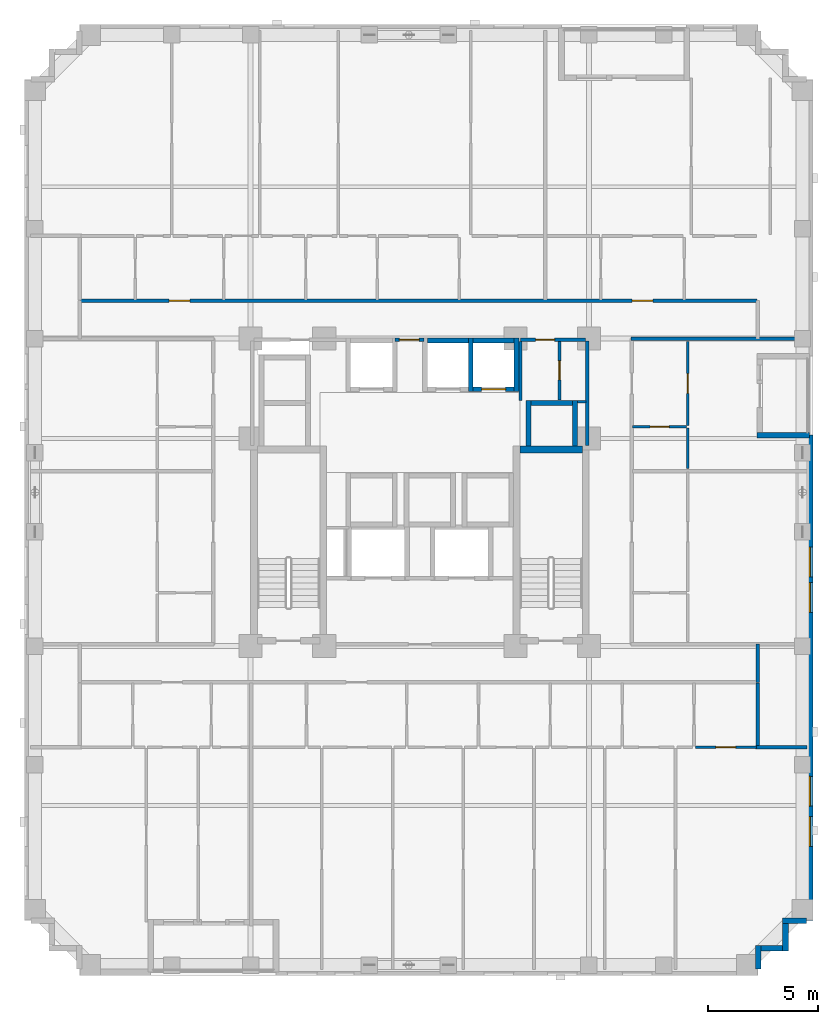
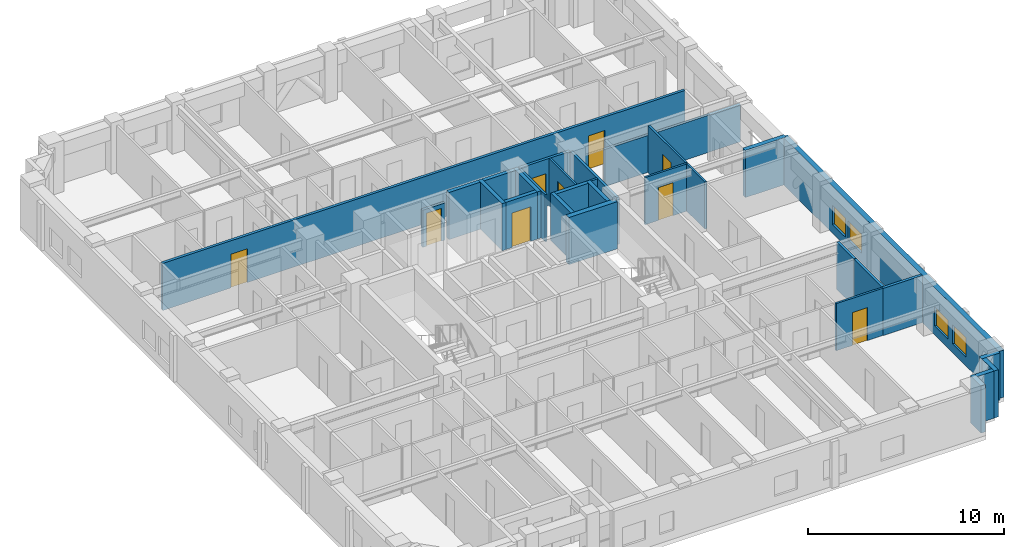
# One storey, part 6 of 12: 30 walls, 9 doors, 4 windows, 13 openings.
"""IFC4 building model written with IfcOpenShell, lengths in metres."""

import ifcopenshell
import ifcopenshell.guid

model = None  # the IFC model being written
_history = None  # IfcOwnerHistory: only IFC2X3 demands one
_inside = {}  # id of a spatial element -> (the spatial element, [elements in it])
_under = {}  # id of a project, library or spatial element -> (it, [spatial elements below it])
_declared = {}  # id of a project -> (the project, [libraries it declares])
_typed = {}  # id of a type object -> (the type object, [elements of that type])
_made_of = {}  # id of a material, layer set ... -> (it, [elements and type objects made of it])


def new_model(schema):
    """Start an empty IFC model of exactly this schema.

    Asked for "IFC4X3", IfcOpenShell would pick the latest addendum, in which some entities
    have other attributes; the version numbers below select the first issue.
    IFC2X3 requires an IfcOwnerHistory on every rooted entity: one is made here for all.
    """
    global model, _history
    if schema == "IFC4X3":
        model = ifcopenshell.file(schema_version=(4, 3, 0, 0))
    else:
        model = ifcopenshell.file(schema=schema)
    _inside.clear()
    _under.clear()
    _declared.clear()
    _typed.clear()
    _made_of.clear()
    _history = None
    if model.schema == "IFC2X3":
        org = make("IfcOrganization", Name="unknown")
        user = make(
            "IfcPersonAndOrganization",
            ThePerson=make("IfcPerson", FamilyName="unknown"),
            TheOrganization=org,
        )
        app = make(
            "IfcApplication",
            ApplicationDeveloper=org,
            Version="unknown",
            ApplicationFullName="unknown",
            ApplicationIdentifier="unknown",
        )
        _history = make(
            "IfcOwnerHistory",
            OwningUser=user,
            OwningApplication=app,
            ChangeAction="ADDED",
            CreationDate=0,
        )
    return model


def make(cls, **values):
    """One entity of the class cls with the attributes given. An attribute that is None is left unset."""
    return model.create_entity(
        cls, **{name: value for name, value in values.items() if value is not None}
    )


def rooted(cls, **values):
    """An entity with a GlobalId (a new one), such as an element, a storey or a relation."""
    return make(cls, GlobalId=ifcopenshell.guid.new(), OwnerHistory=_history, **values)


def si_unit(unit_type, name, prefix=None):
    """IfcSIUnit, for example si_unit("LENGTHUNIT", "METRE", prefix="MILLI")."""
    return make("IfcSIUnit", UnitType=unit_type, Prefix=prefix, Name=name)


def derived_unit(unit_type, elements):
    """IfcDerivedUnit: a product of units, each with its exponent."""
    return make(
        "IfcDerivedUnit",
        Elements=[
            make("IfcDerivedUnitElement", Unit=unit, Exponent=power)
            for unit, power in elements
        ],
        UnitType=unit_type,
    )


def assignment(units):
    """IfcUnitAssignment: the units of a project."""
    return None if units is None else make("IfcUnitAssignment", Units=units)


def point(xyz):
    """IfcCartesianPoint."""
    return None if xyz is None else make("IfcCartesianPoint", Coordinates=xyz)


def direction(xyz):
    """IfcDirection."""
    return None if xyz is None else make("IfcDirection", DirectionRatios=xyz)


def frame(location, z_axis=None, x_axis=None):
    """IfcAxis2Placement3D, a coordinate frame: its origin and axes. An axis left out is left unset."""
    return make(
        "IfcAxis2Placement3D",
        Location=point(location),
        Axis=direction(z_axis),
        RefDirection=direction(x_axis),
    )


def frame_2d(location, x_axis=None):
    """IfcAxis2Placement2D, a coordinate frame in the plane: its origin and x axis."""
    return make(
        "IfcAxis2Placement2D", Location=point(location), RefDirection=direction(x_axis)
    )


def origin():
    """The frame at (0, 0, 0) with its axes left unset."""
    return frame((0.0, 0.0, 0.0))


def place(relative_to, where):
    """IfcLocalPlacement: puts the frame where relative to a parent placement (None: the world)."""
    return make(
        "IfcLocalPlacement", PlacementRelTo=relative_to, RelativePlacement=where
    )


def context(
    kind, dimensions, precision=None, world=None, true_north=None, identifier=None
):
    """IfcGeometricRepresentationContext, for example the 3D "Model" context."""
    return make(
        "IfcGeometricRepresentationContext",
        ContextIdentifier=identifier,
        ContextType=kind,
        CoordinateSpaceDimension=dimensions,
        Precision=precision,
        WorldCoordinateSystem=world,
        TrueNorth=true_north,
    )


def subcontext(parent, identifier, kind, view, scale=None):
    """IfcGeometricRepresentationSubContext, for example "Body" below "Model"."""
    return make(
        "IfcGeometricRepresentationSubContext",
        ContextIdentifier=identifier,
        ContextType=kind,
        ParentContext=parent,
        TargetScale=scale,
        TargetView=view,
    )


def project(units=None, contexts=None):
    """IfcProject with its units and contexts."""
    return rooted(
        "IfcProject",
        Name="project",
        RepresentationContexts=contexts,
        UnitsInContext=assignment(units),
    )


def spatial(cls, under=None, at=None, **own):
    """A site, building, storey or space (cls), placed at a placement, below another one or the project."""
    s = rooted(cls, ObjectPlacement=at, **own)
    if under is not None:
        _under.setdefault(under.id(), (under, []))[1].append(s)
    return s


def profile(cls, at=None, kind="AREA", **sizes):
    """A parametric profile (cls). Its sizes go by their IFC names, for example OverallWidth=200.0."""
    return make(cls, ProfileType=kind, Position=at, **sizes)


def rectangle(**sizes):
    """IfcRectangleProfileDef."""
    return profile("IfcRectangleProfileDef", **sizes)


def extrude(swept, where, along, depth):
    """IfcExtrudedAreaSolid: the profile swept, set in the frame where, extruded along a direction by depth."""
    return make(
        "IfcExtrudedAreaSolid",
        SweptArea=swept,
        Position=where,
        ExtrudedDirection=direction(along),
        Depth=depth,
    )


def shape(context_of_items, identifier, shape_type, items):
    """IfcShapeRepresentation: the items that make up one representation, for example the "Body"."""
    return make(
        "IfcShapeRepresentation",
        ContextOfItems=context_of_items,
        RepresentationIdentifier=identifier,
        RepresentationType=shape_type,
        Items=items,
    )


def material(Name=None, Category=None):
    """IfcMaterial."""
    return make("IfcMaterial", Name=Name, Category=Category)


def layer(
    of_material, thickness, ventilated=None, Name=None, Category=None, Priority=None
):
    """IfcMaterialLayer: one layer of a wall or slab, of a material (None: an air gap)."""
    return make(
        "IfcMaterialLayer",
        Material=of_material,
        LayerThickness=thickness,
        IsVentilated=ventilated,
        Name=Name,
        Category=Category,
        Priority=Priority,
    )


def layer_set(layers, Name=None):
    """IfcMaterialLayerSet."""
    return make("IfcMaterialLayerSet", MaterialLayers=layers, LayerSetName=Name)


def made_of(thing, what):
    """Note that an element or type object is made of a material, layer set ...; save() writes the relation."""
    if what is not None:
        _made_of.setdefault(what.id(), (what, []))[1].append(thing)
    return thing


def type_object(cls, material=None, **own):
    """A type object (cls), such as IfcWallType, which elements share."""
    return made_of(rooted(cls, **own), material)


def element(
    cls,
    number,
    at=None,
    inside=None,
    cuts=None,
    type_object=None,
    material=None,
    context=None,
    identifier="Body",
    shape_type=None,
    held_by="IfcProductDefinitionShape",
    body=None,
    shapes=None,
    **own,
):
    """One element of the class cls, such as IfcWall. Its Tag is "e" and its number.

    at: its placement. inside: the storey or other place that contains it. cuts: it is an
    opening in that element (IfcRelVoidsElement). A single representation is given by context,
    identifier, shape_type and body (its items); several are given by shapes. held_by: the class
    of the entity that holds the representations. save() writes the other relations.
    """
    e = rooted(cls, Tag="e%d" % number, ObjectPlacement=at, **own)
    if body is not None:
        shapes = [shape(context, identifier, shape_type, body)]
    if shapes is not None:
        e.Representation = make(held_by, Representations=shapes)
    if inside is not None:
        _inside.setdefault(inside.id(), (inside, []))[1].append(e)
    if cuts is not None:
        rooted(
            "IfcRelVoidsElement", RelatingBuildingElement=cuts, RelatedOpeningElement=e
        )
    if type_object is not None:
        _typed.setdefault(type_object.id(), (type_object, []))[1].append(e)
    return made_of(e, material)


def fill(opening, filler):
    """IfcRelFillsElement: the door or window that sits in an opening."""
    return rooted(
        "IfcRelFillsElement",
        RelatingOpeningElement=opening,
        RelatedBuildingElement=filler,
    )


def aggregate(whole, parts):
    """IfcRelAggregates: a whole, such as a stair, and the parts it consists of."""
    return rooted("IfcRelAggregates", RelatingObject=whole, RelatedObjects=parts)


def save(model, path):
    """Write the relations noted so far, then the file.

    IfcRelAggregates (storeys below a building ...), IfcRelContainedInSpatialStructure (elements
    in a storey), IfcRelDefinesByType, IfcRelAssociatesMaterial and IfcRelDeclares: one each for
    every whole, place, type object, material and project.
    """
    for whole, parts in _under.values():
        aggregate(whole, parts)
    for where, things in _inside.values():
        rooted(
            "IfcRelContainedInSpatialStructure",
            RelatedElements=things,
            RelatingStructure=where,
        )
    for kind, things in _typed.values():
        rooted("IfcRelDefinesByType", RelatedObjects=things, RelatingType=kind)
    for what, things in _made_of.values():
        rooted("IfcRelAssociatesMaterial", RelatedObjects=things, RelatingMaterial=what)
    for by, libraries in _declared.values():
        rooted("IfcRelDeclares", RelatingContext=by, RelatedDefinitions=libraries)
    model.write(path)


model = new_model("IFC4")

# Units and contexts
model_context = context("Model", 3, precision=1e-05, world=origin(), true_north=direction((0.0, 1.0)))
body_context = subcontext(model_context, "Body", "Model", "MODEL_VIEW")
ifc_project = project(units=[si_unit("LENGTHUNIT", "METRE"), si_unit("AREAUNIT", "SQUARE_METRE"), si_unit("VOLUMEUNIT", "CUBIC_METRE"), si_unit("PLANEANGLEUNIT", "RADIAN"), si_unit("MASSUNIT", "GRAM", prefix="KILO"), derived_unit("THERMALTRANSMITTANCEUNIT", [(si_unit("MASSUNIT", "GRAM", prefix="KILO"), 1), (si_unit("TIMEUNIT", "SECOND"), -3), (si_unit("THERMODYNAMICTEMPERATUREUNIT", "KELVIN"), -1)])], contexts=[model_context])

# Site, building, storey
site_placement = place(None, origin())
site = spatial("IfcSite", under=ifc_project, at=site_placement, CompositionType="ELEMENT")
building_placement = place(site_placement, origin())
building = spatial("IfcBuilding", under=site, at=building_placement, Name="Korrvale Station Residences", CompositionType="ELEMENT")
storey_placement = place(building_placement, frame((0.0, 0.0, 113.5)))
storey = spatial("IfcBuildingStorey", under=building, at=storey_placement, Name="L32", CompositionType="ELEMENT", Elevation=113.5)

# Walls
ifc_material_1 = material(Name="Concrete C60/75", Category="concrete")
ifc_layer_1 = layer(ifc_material_1, 0.300048828125, Name="Concrete C60/75")
ifc_layer_set_1 = layer_set([ifc_layer_1], Name="Concrete C60/75")
wall_type_1 = type_object("IfcWallType", Name="WAL-CORE-300-C60", PredefinedType="SHEAR", material=ifc_layer_set_1)
wall_1_placement = place(storey_placement, frame((30.050048828125, 23.949951171875, 0.0), z_axis=(0.0, 0.0, 1.0), x_axis=(1.0, 0.0, 0.0)))
element("IfcWall", 1, at=wall_1_placement, inside=storey, type_object=wall_type_1, Name="L32 ST-2 Core Shear Wall North", PredefinedType="SHEAR", context=body_context, shape_type="SweptSolid", body=[
    extrude(rectangle(XDim=2.849853515625, YDim=0.300048828125, at=frame_2d((1.4248046875, 0.0))), origin(), (0.0, 0.0, 1.0), 2.93994140625),
])
ifc_material_2 = material(Name="Precast concrete C45/55", Category="concrete")
ifc_layer_2 = layer(ifc_material_2, 0.260009765625, Name="Precast concrete C45/55")
ifc_layer_set_2 = layer_set([ifc_layer_2], Name="Precast concrete C45/55")
wall_type_2 = type_object("IfcWallType", Name="WAL-EXT-LOG260", PredefinedType="SOLIDWALL", material=ifc_layer_set_2)
wall_2_placement = place(storey_placement, frame((40.840087890625, 24.60009765625, 0.0), z_axis=(0.0, 0.0, 1.0), x_axis=(1.0, 0.0, 0.0)))
element("IfcWall", 2, at=wall_2_placement, inside=storey, type_object=wall_type_2, Name="L32 Recessed Loggia Wall BAL-L32-E1-R", PredefinedType="SOLIDWALL", context=body_context, shape_type="SweptSolid", body=[
    extrude(rectangle(XDim=2.39990234375, YDim=0.260009765625, at=frame_2d((1.199951171875, 0.0))), origin(), (0.0, 0.0, 1.0), 2.93994140625),
])
wall_3_placement = place(storey_placement, frame((43.097900390625, 2.5, 0.0), z_axis=(0.0, 0.0, 1.0), x_axis=(-1.0, 0.0, 0.0)))
element("IfcWall", 3, at=wall_3_placement, inside=storey, type_object=wall_type_2, Name="L32 Serrated Corner Precast Step SE-1", PredefinedType="SOLIDWALL", context=body_context, shape_type="SweptSolid", body=[
    extrude(rectangle(XDim=1.077880859375, YDim=0.260009765625, at=frame_2d((0.5390625, 0.0))), origin(), (0.0, 0.0, 1.0), 2.93994140625),
])
wall_4_placement = place(storey_placement, frame((42.14990234375, 2.367919921875, 0.0), z_axis=(0.0, 0.0, 1.0), x_axis=(0.0, -1.0, 0.0)))
element("IfcWall", 4, at=wall_4_placement, inside=storey, type_object=wall_type_2, Name="L32 Serrated Corner Precast Step SE-2", PredefinedType="SOLIDWALL", context=body_context, shape_type="SweptSolid", body=[
    extrude(rectangle(XDim=1.247802734375, YDim=0.260009765625, at=frame_2d((0.6240234375, 0.0))), origin(), (0.0, 0.0, 1.0), 2.93994140625),
])
wall_5_placement = place(storey_placement, frame((42.01806640625, 1.25, 0.0), z_axis=(0.0, 0.0, 1.0), x_axis=(-1.0, 0.0, 0.0)))
element("IfcWall", 5, at=wall_5_placement, inside=storey, type_object=wall_type_2, Name="L32 Serrated Corner Precast Step SE-3", PredefinedType="SOLIDWALL", context=body_context, shape_type="SweptSolid", body=[
    extrude(rectangle(XDim=0.986083984375, YDim=0.260009765625, at=frame_2d((0.4931640625, 0.0))), origin(), (0.0, 0.0, 1.0), 2.93994140625),
])
wall_6_placement = place(storey_placement, frame((40.89990234375, 1.3798828125, 0.0), z_axis=(0.0, 0.0, 1.0), x_axis=(0.0, -1.0, 0.0)))
element("IfcWall", 6, at=wall_6_placement, inside=storey, type_object=wall_type_2, Name="L32 Serrated Corner Precast Step SE-4", PredefinedType="SOLIDWALL", context=body_context, shape_type="SweptSolid", body=[
    extrude(rectangle(XDim=1.077880859375, YDim=0.260009765625, at=frame_2d((0.5390625, 0.0))), origin(), (0.0, 0.0, 1.0), 2.93994140625),
])

# Wall, openings, windows
ifc_layer_3 = layer(ifc_material_2, 0.300048828125, Name="Precast concrete C45/55")
ifc_layer_set_3 = layer_set([ifc_layer_3], Name="Precast concrete C45/55")
wall_type_3 = type_object("IfcWallType", Name="WAL-EXT-PC300", PredefinedType="SOLIDWALL", material=ifc_layer_set_3)
wall_7_placement = place(storey_placement, frame((43.25, 24.60009765625, 0.0), z_axis=(0.0, 0.0, 1.0), x_axis=(0.0, -1.0, 0.0)))
wall_7 = element("IfcWall", 7, at=wall_7_placement, inside=storey, type_object=wall_type_3, Name="L32 East Exterior Precast Wall 2", PredefinedType="SOLIDWALL", context=body_context, shape_type="SweptSolid", body=[
    extrude(rectangle(XDim=22.10009765625, YDim=0.300048828125, at=frame_2d((11.050048828125, 0.0))), origin(), (0.0, 0.0, 1.0), 2.93994140625),
])
opening_1_placement = place(wall_7_placement, frame((17.365966796875, 0.0, 0.550048828125)))
opening_1 = element("IfcOpeningElement", 8, at=opening_1_placement, cuts=wall_7, Name="Opening W-10", PredefinedType="OPENING", context=body_context, shape_type="SweptSolid", body=[
    extrude(rectangle(XDim=1.35009765625, YDim=1.199951171875, at=frame_2d((0.675048828125, 0.60009765625))), frame((0.0, 0.16015625, 0.0), z_axis=(0.0, -1.0, 0.0), x_axis=(1.0, 0.0, 0.0)), (0.0, 0.0, 1.0), 0.320068359375),
])
opening_2_placement = place(wall_7_placement, frame((15.534912109375, 0.0, 0.550048828125)))
opening_2 = element("IfcOpeningElement", 9, at=opening_2_placement, cuts=wall_7, Name="Opening W-10", PredefinedType="OPENING", context=body_context, shape_type="SweptSolid", body=[
    extrude(rectangle(XDim=1.35009765625, YDim=1.199951171875, at=frame_2d((0.675048828125, 0.60009765625))), frame((0.0, 0.16015625, 0.0), z_axis=(0.0, -1.0, 0.0), x_axis=(1.0, 0.0, 0.0)), (0.0, 0.0, 1.0), 0.320068359375),
])
opening_3_placement = place(wall_7_placement, frame((5.10009765625, 0.0, 0.550048828125)))
opening_3 = element("IfcOpeningElement", 10, at=opening_3_placement, cuts=wall_7, Name="Opening W-10", PredefinedType="OPENING", context=body_context, shape_type="SweptSolid", body=[
    extrude(rectangle(XDim=1.35009765625, YDim=1.199951171875, at=frame_2d((0.675048828125, 0.60009765625))), frame((0.0, 0.16015625, 0.0), z_axis=(0.0, -1.0, 0.0), x_axis=(1.0, 0.0, 0.0)), (0.0, 0.0, 1.0), 0.320068359375),
])
opening_4_placement = place(wall_7_placement, frame((6.7099609375, 0.0, 0.550048828125)))
opening_4 = element("IfcOpeningElement", 11, at=opening_4_placement, cuts=wall_7, Name="Opening W-10", PredefinedType="OPENING", context=body_context, shape_type="SweptSolid", body=[
    extrude(rectangle(XDim=1.35009765625, YDim=1.199951171875, at=frame_2d((0.675048828125, 0.60009765625))), frame((0.0, 0.16015625, 0.0), z_axis=(0.0, -1.0, 0.0), x_axis=(1.0, 0.0, 0.0)), (0.0, 0.0, 1.0), 0.320068359375),
])
ifc_material_3 = material(Name="Thermally broken aluminium frame with triple low-e glazing", Category="aluminium")
window_type = type_object("IfcWindowType", Name="WIN-W10", PartitioningType="SINGLE_PANEL", PredefinedType="WINDOW", material=ifc_material_3)
window_1_placement = place(opening_1_placement, origin())
window_1 = element("IfcWindow", 12, at=window_1_placement, inside=storey, type_object=window_type, Name="L32 Punched Window 10", OverallHeight=1.199951171875, OverallWidth=1.35009765625, PartitioningType="SINGLE_PANEL", PredefinedType="WINDOW", context=body_context, shape_type="SweptSolid", body=[
    extrude(rectangle(XDim=1.35009765625, YDim=1.199951171875, at=frame_2d((0.675048828125, 0.60009765625))), frame((0.0, 0.030029296875, 0.0), z_axis=(0.0, -1.0, 0.0), x_axis=(1.0, 0.0, 0.0)), (0.0, 0.0, 1.0), 0.06005859375),
])
fill(opening_1, window_1)
window_2_placement = place(opening_2_placement, origin())
window_2 = element("IfcWindow", 13, at=window_2_placement, inside=storey, type_object=window_type, Name="L32 Punched Window 11", OverallHeight=1.199951171875, OverallWidth=1.35009765625, PartitioningType="SINGLE_PANEL", PredefinedType="WINDOW", context=body_context, shape_type="SweptSolid", body=[
    extrude(rectangle(XDim=1.35009765625, YDim=1.199951171875, at=frame_2d((0.675048828125, 0.60009765625))), frame((0.0, 0.030029296875, 0.0), z_axis=(0.0, -1.0, 0.0), x_axis=(1.0, 0.0, 0.0)), (0.0, 0.0, 1.0), 0.06005859375),
])
fill(opening_2, window_2)
window_3_placement = place(opening_3_placement, origin())
window_3 = element("IfcWindow", 14, at=window_3_placement, inside=storey, type_object=window_type, Name="L32 Punched Window 23", OverallHeight=1.199951171875, OverallWidth=1.35009765625, PartitioningType="SINGLE_PANEL", PredefinedType="WINDOW", context=body_context, shape_type="SweptSolid", body=[
    extrude(rectangle(XDim=1.35009765625, YDim=1.199951171875, at=frame_2d((0.675048828125, 0.60009765625))), frame((0.0, 0.030029296875, 0.0), z_axis=(0.0, -1.0, 0.0), x_axis=(1.0, 0.0, 0.0)), (0.0, 0.0, 1.0), 0.06005859375),
])
fill(opening_3, window_3)
window_4_placement = place(opening_4_placement, origin())
window_4 = element("IfcWindow", 15, at=window_4_placement, inside=storey, type_object=window_type, Name="L32 Punched Window 24", OverallHeight=1.199951171875, OverallWidth=1.35009765625, PartitioningType="SINGLE_PANEL", PredefinedType="WINDOW", context=body_context, shape_type="SweptSolid", body=[
    extrude(rectangle(XDim=1.35009765625, YDim=1.199951171875, at=frame_2d((0.675048828125, 0.60009765625))), frame((0.0, 0.030029296875, 0.0), z_axis=(0.0, -1.0, 0.0), x_axis=(1.0, 0.0, 0.0)), (0.0, 0.0, 1.0), 0.06005859375),
])
fill(opening_4, window_4)

# Walls
ifc_material_4 = material(Name="Acoustic steel-stud gypsum board partition", Category="steel")
ifc_layer_4 = layer(ifc_material_4, 0.1201171875, Name="Acoustic steel-stud gypsum board partition")
ifc_layer_set_4 = layer_set([ifc_layer_4], Name="Acoustic steel-stud gypsum board partition")
wall_type_4 = type_object("IfcWallType", Name="WAL-PART-125", PredefinedType="PARTITIONING", material=ifc_layer_set_4)
wall_8_placement = place(storey_placement, frame((30.080078125, 26.179931640625, 0.0), z_axis=(0.0, 0.0, 1.0), x_axis=(0.0, 1.0, 0.0)))
element("IfcWall", 16, at=wall_8_placement, inside=storey, type_object=wall_type_4, Name="L32 Core Partition CW-CS-W", PredefinedType="PARTITIONING", context=body_context, shape_type="SweptSolid", body=[
    extrude(rectangle(XDim=2.68017578125, YDim=0.1201171875, at=frame_2d((1.340087890625, 0.0))), origin(), (0.0, 0.0, 1.0), 2.93994140625),
])
wall_9_placement = place(storey_placement, frame((32.679931640625, 26.1201171875, 0.0), z_axis=(0.0, 0.0, 1.0), x_axis=(1.0, 0.0, 0.0)))
element("IfcWall", 17, at=wall_9_placement, inside=storey, type_object=wall_type_4, Name="L32 Core Partition CW-CS-S", PredefinedType="PARTITIONING", context=body_context, shape_type="SweptSolid", body=[
    extrude(rectangle(XDim=0.380126953125, YDim=0.1201171875, at=frame_2d((0.18994140625, 0.0))), origin(), (0.0, 0.0, 1.0), 2.93994140625),
])

# Wall, opening, door
wall_10_placement = place(storey_placement, frame((31.860107421875, 26.199951171875, 0.0), z_axis=(0.0, 0.0, 1.0), x_axis=(0.0, 1.0, 0.0)))
wall_10 = element("IfcWall", 18, at=wall_10_placement, inside=storey, type_object=wall_type_4, Name="L32 Core Partition CW-CS-MID", PredefinedType="PARTITIONING", context=body_context, shape_type="SweptSolid", body=[
    extrude(rectangle(XDim=2.66015625, YDim=0.1201171875, at=frame_2d((1.330078125, 0.0))), origin(), (0.0, 0.0, 1.0), 2.93994140625),
])
opening_5_placement = place(wall_10_placement, frame((0.919921875, 0.0, 0.0)))
opening_5 = element("IfcOpeningElement", 19, at=opening_5_placement, cuts=wall_10, Name="Opening DB-860", PredefinedType="OPENING", context=body_context, shape_type="SweptSolid", body=[
    extrude(rectangle(XDim=0.860107421875, YDim=2.050048828125, at=frame_2d((0.43017578125, 1.02490234375))), frame((0.0, 0.070068359375, 0.0), z_axis=(0.0, -1.0, 0.0), x_axis=(1.0, 0.0, 0.0)), (0.0, 0.0, 1.0), 0.14013671875),
])
ifc_material_5 = material(Name="Moisture-resistant solid-core bathroom door", Category="timber")
door_type_1 = type_object("IfcDoorType", Name="DR-BATH-860", OperationType="NOTDEFINED", PredefinedType="DOOR", material=ifc_material_5)
door_1_placement = place(opening_5_placement, origin())
door_1 = element("IfcDoor", 20, at=door_1_placement, inside=storey, type_object=door_type_1, Name="L32 Metering Inner Door", OperationType="SINGLE_SWING_LEFT", OverallHeight=2.050048828125, OverallWidth=0.860107421875, PredefinedType="DOOR", context=body_context, shape_type="SweptSolid", body=[
    extrude(rectangle(XDim=0.860107421875, YDim=2.050048828125, at=frame_2d((0.43017578125, 1.02490234375))), frame((0.0, 0.02490234375, 0.0), z_axis=(0.0, -1.0, 0.0), x_axis=(1.0, 0.0, 0.0)), (0.0, 0.0, 1.0), 0.050048828125),
])
fill(opening_5, door_1)

wall_11_placement = place(storey_placement, frame((38.0400390625, 10.39990234375, 0.0), z_axis=(0.0, 0.0, 1.0), x_axis=(1.0, 0.0, 0.0)))
wall_11 = element("IfcWall", 21, at=wall_11_placement, inside=storey, type_object=wall_type_4, Name="L32 Suite Partition U02-H613", PredefinedType="PARTITIONING", context=body_context, shape_type="SweptSolid", body=[
    extrude(rectangle(XDim=2.780029296875, YDim=0.1201171875, at=frame_2d((1.39013671875, 0.0))), origin(), (0.0, 0.0, 1.0), 2.93994140625),
])
opening_6_placement = place(wall_11_placement, frame((0.93994140625, 0.0, 0.0)))
opening_6 = element("IfcOpeningElement", 22, at=opening_6_placement, cuts=wall_11, Name="Opening DI-900", PredefinedType="OPENING", context=body_context, shape_type="SweptSolid", body=[
    extrude(rectangle(XDim=0.89990234375, YDim=2.050048828125, at=frame_2d((0.449951171875, 1.02490234375))), frame((0.0, 0.070068359375, 0.0), z_axis=(0.0, -1.0, 0.0), x_axis=(1.0, 0.0, 0.0)), (0.0, 0.0, 1.0), 0.14013671875),
])
ifc_material_6 = material(Name="Painted solid-core timber interior room door", Category="wood")
door_type_2 = type_object("IfcDoorType", Name="DR-INT-900", OperationType="NOTDEFINED", PredefinedType="DOOR", material=ifc_material_6)
door_2_placement = place(opening_6_placement, origin())
door_2 = element("IfcDoor", 23, at=door_2_placement, inside=storey, type_object=door_type_2, Name="L32 Studio Apartment L32-U02 Utility and Laundry Room Door", OperationType="SINGLE_SWING_RIGHT", OverallHeight=2.050048828125, OverallWidth=0.89990234375, PredefinedType="DOOR", context=body_context, shape_type="SweptSolid", body=[
    extrude(rectangle(XDim=0.89990234375, YDim=2.050048828125, at=frame_2d((0.449951171875, 1.02490234375))), frame((0.0, 0.02490234375, 0.0), z_axis=(0.0, -1.0, 0.0), x_axis=(1.0, 0.0, 0.0)), (0.0, 0.0, 1.0), 0.050048828125),
])
fill(opening_6, door_2)

wall_12_placement = place(storey_placement, frame((35.18994140625, 24.991943359375, 0.0), z_axis=(0.0, 0.0, 1.0), x_axis=(1.0, 0.0, 0.0)))
wall_12 = element("IfcWall", 24, at=wall_12_placement, inside=storey, type_object=wall_type_4, Name="L32 Suite Partition U08-H01", PredefinedType="PARTITIONING", context=body_context, shape_type="SweptSolid", body=[
    extrude(rectangle(XDim=2.449951171875, YDim=0.1201171875, at=frame_2d((1.22509765625, 0.0))), origin(), (0.0, 0.0, 1.0), 2.93994140625),
])
opening_7_placement = place(wall_12_placement, frame((0.794921875, 0.0, 0.0)))
opening_7 = element("IfcOpeningElement", 25, at=opening_7_placement, cuts=wall_12, Name="Opening DB-860", PredefinedType="OPENING", context=body_context, shape_type="SweptSolid", body=[
    extrude(rectangle(XDim=0.860107421875, YDim=2.050048828125, at=frame_2d((0.43017578125, 1.02490234375))), frame((0.0, 0.070068359375, 0.0), z_axis=(0.0, -1.0, 0.0), x_axis=(1.0, 0.0, 0.0)), (0.0, 0.0, 1.0), 0.14013671875),
])
door_3_placement = place(opening_7_placement, origin())
door_3 = element("IfcDoor", 26, at=door_3_placement, inside=storey, type_object=door_type_1, Name="L32 Studio Apartment L32-U08 Bathroom Door", OperationType="SINGLE_SWING_RIGHT", OverallHeight=2.050048828125, OverallWidth=0.860107421875, PredefinedType="DOOR", context=body_context, shape_type="SweptSolid", body=[
    extrude(rectangle(XDim=0.860107421875, YDim=2.050048828125, at=frame_2d((0.43017578125, 1.02490234375))), frame((0.0, 0.02490234375, 0.0), z_axis=(0.0, -1.0, 0.0), x_axis=(1.0, 0.0, 0.0)), (0.0, 0.0, 1.0), 0.050048828125),
])
fill(opening_7, door_3)

# Wall
wall_13_placement = place(storey_placement, frame((37.699951171875, 23.08203125, 0.0), z_axis=(0.0, 0.0, 1.0), x_axis=(0.0, 1.0, 0.0)))
element("IfcWall", 27, at=wall_13_placement, inside=storey, type_object=wall_type_4, Name="L32 Suite Partition U08-V02", PredefinedType="PARTITIONING", context=body_context, shape_type="SweptSolid", body=[
    extrude(rectangle(XDim=1.849853515625, YDim=0.1201171875, at=frame_2d((0.9248046875, 0.0))), origin(), (0.0, 0.0, 1.0), 2.93994140625),
])

# Wall, opening, door
wall_14_placement = place(storey_placement, frame((37.699951171875, 25.052001953125, 0.0), z_axis=(0.0, 0.0, 1.0), x_axis=(0.0, 1.0, 0.0)))
wall_14 = element("IfcWall", 28, at=wall_14_placement, inside=storey, type_object=wall_type_4, Name="L32 Suite Partition U08-V12", PredefinedType="PARTITIONING", context=body_context, shape_type="SweptSolid", body=[
    extrude(rectangle(XDim=3.80810546875, YDim=0.1201171875, at=frame_2d((1.904052734375, 0.0))), origin(), (0.0, 0.0, 1.0), 2.93994140625),
])
opening_8_placement = place(wall_14_placement, frame((1.4541015625, 0.0, 0.0)))
opening_8 = element("IfcOpeningElement", 29, at=opening_8_placement, cuts=wall_14, Name="Opening DI-900", PredefinedType="OPENING", context=body_context, shape_type="SweptSolid", body=[
    extrude(rectangle(XDim=0.89990234375, YDim=2.050048828125, at=frame_2d((0.449951171875, 1.02490234375))), frame((0.0, 0.070068359375, 0.0), z_axis=(0.0, -1.0, 0.0), x_axis=(1.0, 0.0, 0.0)), (0.0, 0.0, 1.0), 0.14013671875),
])
door_4_placement = place(opening_8_placement, origin())
door_4 = element("IfcDoor", 30, at=door_4_placement, inside=storey, type_object=door_type_2, Name="L32 Studio Apartment L32-U08 Kitchen Door", OperationType="SINGLE_SWING_LEFT", OverallHeight=2.050048828125, OverallWidth=0.89990234375, PredefinedType="DOOR", context=body_context, shape_type="SweptSolid", body=[
    extrude(rectangle(XDim=0.89990234375, YDim=2.050048828125, at=frame_2d((0.449951171875, 1.02490234375))), frame((0.0, 0.02490234375, 0.0), z_axis=(0.0, -1.0, 0.0), x_axis=(1.0, 0.0, 0.0)), (0.0, 0.0, 1.0), 0.050048828125),
])
fill(opening_8, door_4)

# Wall
ifc_material_7 = material(Name="Fire-rated twin-stud gypsum and mineral wool shaftwall assembly", Category="gypsum")
ifc_layer_5 = layer(ifc_material_7, 0.159912109375, Name="Fire-rated twin-stud gypsum and mineral wool shaftwall assembly")
ifc_layer_set_5 = layer_set([ifc_layer_5], Name="Fire-rated twin-stud gypsum and mineral wool shaftwall assembly")
wall_type_5 = type_object("IfcWallType", Name="WAL-PART-200", PredefinedType="PARTITIONING", material=ifc_layer_set_5)
wall_15_placement = place(storey_placement, frame((33.1201171875, 24.1201171875, 0.0), z_axis=(0.0, 0.0, 1.0), x_axis=(0.0, 1.0, 0.0)))
element("IfcWall", 31, at=wall_15_placement, inside=storey, type_object=wall_type_5, Name="L32 Core Partition CW-E-N", PredefinedType="PARTITIONING", context=body_context, shape_type="SweptSolid", body=[
    extrude(rectangle(XDim=4.759765625, YDim=0.159912109375, at=frame_2d((2.3798828125, 0.0))), origin(), (0.0, 0.0, 1.0), 2.93994140625),
])

# Wall, opening, door
wall_16_placement = place(storey_placement, frame((24.360107421875, 28.949951171875, 0.0), z_axis=(0.0, 0.0, 1.0), x_axis=(1.0, 0.0, 0.0)))
wall_16 = element("IfcWall", 32, at=wall_16_placement, inside=storey, type_object=wall_type_5, Name="L32 Core Partition CW-LLOB-N", PredefinedType="PARTITIONING", context=body_context, shape_type="SweptSolid", body=[
    extrude(rectangle(XDim=1.31982421875, YDim=0.159912109375, at=frame_2d((0.659912109375, 0.0))), origin(), (0.0, 0.0, 1.0), 2.31298828125),
])
opening_9_placement = place(wall_16_placement, frame((0.2099609375, 0.0, 0.0)))
opening_9 = element("IfcOpeningElement", 33, at=opening_9_placement, cuts=wall_16, Name="Opening DI-900", PredefinedType="OPENING", context=body_context, shape_type="SweptSolid", body=[
    extrude(rectangle(XDim=0.89990234375, YDim=2.050048828125, at=frame_2d((0.449951171875, 1.02490234375))), frame((0.0, 0.08984375, 0.0), z_axis=(0.0, -1.0, 0.0), x_axis=(1.0, 0.0, 0.0)), (0.0, 0.0, 1.0), 0.179931640625),
])
door_5_placement = place(opening_9_placement, origin())
door_5 = element("IfcDoor", 34, at=door_5_placement, inside=storey, type_object=door_type_2, Name="L32 Central Hallway North Passage Door", OperationType="SINGLE_SWING_LEFT", OverallHeight=2.050048828125, OverallWidth=0.89990234375, PredefinedType="DOOR", context=body_context, shape_type="SweptSolid", body=[
    extrude(rectangle(XDim=0.89990234375, YDim=2.050048828125, at=frame_2d((0.449951171875, 1.02490234375))), frame((0.0, 0.02490234375, 0.0), z_axis=(0.0, -1.0, 0.0), x_axis=(1.0, 0.0, 0.0)), (0.0, 0.0, 1.0), 0.050048828125),
])
fill(opening_9, door_5)

wall_17_placement = place(storey_placement, frame((30.080078125, 28.949951171875, 0.0), z_axis=(0.0, 0.0, 1.0), x_axis=(1.0, 0.0, 0.0)))
wall_17 = element("IfcWall", 35, at=wall_17_placement, inside=storey, type_object=wall_type_5, Name="L32 Core Partition CW-CS-N", PredefinedType="PARTITIONING", context=body_context, shape_type="SweptSolid", body=[
    extrude(rectangle(XDim=2.9599609375, YDim=0.159912109375, at=frame_2d((1.47998046875, 0.0))), origin(), (0.0, 0.0, 1.0), 2.93994140625),
])
opening_10_placement = place(wall_17_placement, frame((0.695068359375, 0.0, 0.0)))
opening_10 = element("IfcOpeningElement", 36, at=opening_10_placement, cuts=wall_17, Name="Opening DB-860", PredefinedType="OPENING", context=body_context, shape_type="SweptSolid", body=[
    extrude(rectangle(XDim=0.860107421875, YDim=2.050048828125, at=frame_2d((0.43017578125, 1.02490234375))), frame((0.0, 0.08984375, 0.0), z_axis=(0.0, -1.0, 0.0), x_axis=(1.0, 0.0, 0.0)), (0.0, 0.0, 1.0), 0.179931640625),
])
door_6_placement = place(opening_10_placement, origin())
door_6 = element("IfcDoor", 37, at=door_6_placement, inside=storey, type_object=door_type_1, Name="L32 Housekeeping Supply Door", OperationType="SINGLE_SWING_RIGHT", OverallHeight=2.050048828125, OverallWidth=0.860107421875, PredefinedType="DOOR", context=body_context, shape_type="SweptSolid", body=[
    extrude(rectangle(XDim=0.860107421875, YDim=2.050048828125, at=frame_2d((0.43017578125, 1.02490234375))), frame((0.0, 0.02490234375, 0.0), z_axis=(0.0, -1.0, 0.0), x_axis=(1.0, 0.0, 0.0)), (0.0, 0.0, 1.0), 0.050048828125),
])
fill(opening_10, door_6)

# Walls
wall_18_placement = place(storey_placement, frame((40.8798828125, 13.35009765625, 0.0), z_axis=(0.0, 0.0, 1.0), x_axis=(0.0, 1.0, 0.0)))
element("IfcWall", 38, at=wall_18_placement, inside=storey, type_object=wall_type_5, Name="L32 Corridor South East Cap", PredefinedType="PARTITIONING", context=body_context, shape_type="SweptSolid", body=[
    extrude(rectangle(XDim=1.739990234375, YDim=0.159912109375, at=frame_2d((0.8701171875, 0.0))), origin(), (0.0, 0.0, 1.0), 2.93994140625),
])
wall_19_placement = place(storey_placement, frame((35.110107421875, 28.97998046875, 0.0), z_axis=(0.0, 0.0, 1.0), x_axis=(1.0, 0.0, 0.0)))
element("IfcWall", 39, at=wall_19_placement, inside=storey, type_object=wall_type_5, Name="L32 East Wing North Corridor Wall", PredefinedType="PARTITIONING", context=body_context, shape_type="SweptSolid", body=[
    extrude(rectangle(XDim=8.010009765625, YDim=0.159912109375, at=frame_2d((4.0048828125, 0.0))), origin(), (0.0, 0.0, 1.0), 2.31298828125),
])
wall_20_placement = place(storey_placement, frame((40.780029296875, 10.39990234375, 0.0), z_axis=(0.0, 0.0, 1.0), x_axis=(1.0, 0.0, 0.0)))
element("IfcWall", 40, at=wall_20_placement, inside=storey, type_object=wall_type_5, Name="L32 Corner Step Wall U02-R", PredefinedType="PARTITIONING", context=body_context, shape_type="SweptSolid", body=[
    extrude(rectangle(XDim=2.340087890625, YDim=0.159912109375, at=frame_2d((1.169921875, 0.0))), origin(), (0.0, 0.0, 1.0), 2.93994140625),
])
wall_21_placement = place(storey_placement, frame((40.8798828125, 10.39990234375, 0.0), z_axis=(0.0, 0.0, 1.0), x_axis=(0.0, 1.0, 0.0)))
element("IfcWall", 41, at=wall_21_placement, inside=storey, type_object=wall_type_5, Name="L32 Corner Step Cheek U02-R", PredefinedType="PARTITIONING", context=body_context, shape_type="SweptSolid", body=[
    extrude(rectangle(XDim=2.91015625, YDim=0.159912109375, at=frame_2d((1.455078125, 0.0))), origin(), (0.0, 0.0, 1.0), 2.93994140625),
])

# Wall, openings, doors
wall_22_placement = place(storey_placement, frame((10.050048828125, 30.719970703125, 0.0), z_axis=(0.0, 0.0, 1.0), x_axis=(1.0, 0.0, 0.0)))
wall_22 = element("IfcWall", 42, at=wall_22_placement, inside=storey, type_object=wall_type_5, Name="L32 Rated Corridor Wall N", PredefinedType="PARTITIONING", context=body_context, shape_type="SweptSolid", body=[
    extrude(rectangle(XDim=30.800048828125, YDim=0.159912109375, at=frame_2d((15.39990234375, 0.0))), origin(), (0.0, 0.0, 1.0), 2.93994140625),
])
opening_11_placement = place(wall_22_placement, frame((4.034912109375, 0.0, 0.0)))
opening_11 = element("IfcOpeningElement", 43, at=opening_11_placement, cuts=wall_22, Name="Opening UD-950", PredefinedType="OPENING", context=body_context, shape_type="SweptSolid", body=[
    extrude(rectangle(XDim=0.949951171875, YDim=2.10009765625, at=frame_2d((0.47509765625, 1.050048828125))), frame((0.0, 0.08984375, 0.0), z_axis=(0.0, -1.0, 0.0), x_axis=(1.0, 0.0, 0.0)), (0.0, 0.0, 1.0), 0.179931640625),
])
opening_12_placement = place(wall_22_placement, frame((25.110107421875, 0.0, 0.0)))
opening_12 = element("IfcOpeningElement", 44, at=opening_12_placement, cuts=wall_22, Name="Opening UD-950", PredefinedType="OPENING", context=body_context, shape_type="SweptSolid", body=[
    extrude(rectangle(XDim=0.949951171875, YDim=2.10009765625, at=frame_2d((0.47509765625, 1.050048828125))), frame((0.0, 0.08984375, 0.0), z_axis=(0.0, -1.0, 0.0), x_axis=(1.0, 0.0, 0.0)), (0.0, 0.0, 1.0), 0.179931640625),
])
ifc_material_8 = material(Name="Solid-core acoustic oak apartment entrance door", Category="timber")
door_type_3 = type_object("IfcDoorType", Name="DR-UNIT-950", OperationType="NOTDEFINED", PredefinedType="DOOR", material=ifc_material_8)
door_7_placement = place(opening_11_placement, origin())
door_7 = element("IfcDoor", 45, at=door_7_placement, inside=storey, type_object=door_type_3, Name="L32 Apartment L32-U03 Entrance Door", OperationType="SINGLE_SWING_RIGHT", OverallHeight=2.10009765625, OverallWidth=0.949951171875, PredefinedType="DOOR", context=body_context, shape_type="SweptSolid", body=[
    extrude(rectangle(XDim=0.949951171875, YDim=2.10009765625, at=frame_2d((0.47509765625, 1.050048828125))), frame((0.0, 0.02490234375, 0.0), z_axis=(0.0, -1.0, 0.0), x_axis=(1.0, 0.0, 0.0)), (0.0, 0.0, 1.0), 0.050048828125),
])
fill(opening_11, door_7)
door_8_placement = place(opening_12_placement, origin())
door_8 = element("IfcDoor", 46, at=door_8_placement, inside=storey, type_object=door_type_3, Name="L32 Apartment L32-U04 Entrance Door", OperationType="SINGLE_SWING_LEFT", OverallHeight=2.10009765625, OverallWidth=0.949951171875, PredefinedType="DOOR", context=body_context, shape_type="SweptSolid", body=[
    extrude(rectangle(XDim=0.949951171875, YDim=2.10009765625, at=frame_2d((0.47509765625, 1.050048828125))), frame((0.0, 0.02490234375, 0.0), z_axis=(0.0, -1.0, 0.0), x_axis=(1.0, 0.0, 0.0)), (0.0, 0.0, 1.0), 0.050048828125),
])
fill(opening_12, door_8)

# Walls
ifc_layer_6 = layer(ifc_material_1, 0.219970703125, Name="Concrete C60/75")
ifc_layer_set_6 = layer_set([ifc_layer_6], Name="Concrete C60/75")
wall_type_6 = type_object("IfcWallType", Name="WAL-SHAFT-220-C60", PredefinedType="SHEAR", material=ifc_layer_set_6)
wall_23_placement = place(storey_placement, frame((25.85009765625, 28.909912109375, 0.0), z_axis=(0.0, 0.0, 1.0), x_axis=(1.0, 0.0, 0.0)))
element("IfcWall", 47, at=wall_23_placement, inside=storey, type_object=wall_type_6, Name="L32 Elevator PL-2 Hoistway Wall North", PredefinedType="SHEAR", context=body_context, shape_type="SweptSolid", body=[
    extrude(rectangle(XDim=1.85986328125, YDim=0.219970703125, at=frame_2d((0.929931640625, 0.0))), origin(), (0.0, 0.0, 1.0), 2.93994140625),
])
wall_24_placement = place(storey_placement, frame((27.820068359375, 26.580078125, 0.0), z_axis=(0.0, 0.0, 1.0), x_axis=(0.0, 1.0, 0.0)))
element("IfcWall", 48, at=wall_24_placement, inside=storey, type_object=wall_type_6, Name="L32 Elevator PL-2 Hoistway Wall East", PredefinedType="SHEAR", context=body_context, shape_type="SweptSolid", body=[
    extrude(rectangle(XDim=2.43994140625, YDim=0.219970703125, at=frame_2d((1.219970703125, 0.0))), origin(), (0.0, 0.0, 1.0), 2.93994140625),
])

# Wall, opening, door
wall_25_placement = place(storey_placement, frame((27.929931640625, 26.68994140625, 0.0), z_axis=(0.0, 0.0, 1.0), x_axis=(1.0, 0.0, 0.0)))
wall_25 = element("IfcWall", 49, at=wall_25_placement, inside=storey, type_object=wall_type_6, Name="L32 Elevator PL-3 Hoistway Wall South", PredefinedType="SHEAR", context=body_context, shape_type="SweptSolid", body=[
    extrude(rectangle(XDim=1.860107421875, YDim=0.219970703125, at=frame_2d((0.93017578125, 0.0))), origin(), (0.0, 0.0, 1.0), 2.93994140625),
])
opening_13_placement = place(wall_25_placement, frame((0.3798828125, 0.0, 0.0)))
opening_13 = element("IfcOpeningElement", 50, at=opening_13_placement, cuts=wall_25, Name="Opening LD-1100", PredefinedType="OPENING", context=body_context, shape_type="SweptSolid", body=[
    extrude(rectangle(XDim=1.10009765625, YDim=2.14990234375, at=frame_2d((0.550048828125, 1.074951171875))), frame((0.0, 0.1201171875, 0.0), z_axis=(0.0, -1.0, 0.0), x_axis=(1.0, 0.0, 0.0)), (0.0, 0.0, 1.0), 0.239990234375),
])
ifc_material_9 = material(Name="Brushed stainless-steel elevator landing sliding door", Category="steel")
door_type_4 = type_object("IfcDoorType", Name="DR-LIFT-1100", OperationType="SLIDING_TO_LEFT", PredefinedType="DOOR", material=ifc_material_9)
door_9_placement = place(opening_13_placement, origin())
door_9 = element("IfcDoor", 51, at=door_9_placement, inside=storey, type_object=door_type_4, Name="L32 Elevator PL-3 Sliding Landing Door", OperationType="SLIDING_TO_LEFT", OverallHeight=2.14990234375, OverallWidth=1.10009765625, PredefinedType="DOOR", context=body_context, shape_type="SweptSolid", body=[
    extrude(rectangle(XDim=1.10009765625, YDim=2.14990234375, at=frame_2d((0.550048828125, 1.074951171875))), frame((0.0, 0.02490234375, 0.0), z_axis=(0.0, -1.0, 0.0), x_axis=(1.0, 0.0, 0.0)), (0.0, 0.0, 1.0), 0.050048828125),
])
fill(opening_13, door_9)

# Walls
wall_26_placement = place(storey_placement, frame((27.929931640625, 28.909912109375, 0.0), z_axis=(0.0, 0.0, 1.0), x_axis=(1.0, 0.0, 0.0)))
element("IfcWall", 52, at=wall_26_placement, inside=storey, type_object=wall_type_6, Name="L32 Elevator PL-3 Hoistway Wall North", PredefinedType="SHEAR", context=body_context, shape_type="SweptSolid", body=[
    extrude(rectangle(XDim=1.860107421875, YDim=0.219970703125, at=frame_2d((0.93017578125, 0.0))), origin(), (0.0, 0.0, 1.0), 2.93994140625),
])
wall_27_placement = place(storey_placement, frame((29.89990234375, 26.580078125, 0.0), z_axis=(0.0, 0.0, 1.0), x_axis=(0.0, 1.0, 0.0)))
element("IfcWall", 53, at=wall_27_placement, inside=storey, type_object=wall_type_6, Name="L32 Elevator PL-3 Hoistway Wall East", PredefinedType="SHEAR", context=body_context, shape_type="SweptSolid", body=[
    extrude(rectangle(XDim=2.43994140625, YDim=0.219970703125, at=frame_2d((1.219970703125, 0.0))), origin(), (0.0, 0.0, 1.0), 2.93994140625),
])
wall_28_placement = place(storey_placement, frame((30.550048828125, 26.06005859375, 0.0), z_axis=(0.0, 0.0, 1.0), x_axis=(1.0, 0.0, 0.0)))
element("IfcWall", 54, at=wall_28_placement, inside=storey, type_object=wall_type_6, Name="L32 Elevator PH-3 Hoistway Wall North", PredefinedType="SHEAR", context=body_context, shape_type="SweptSolid", body=[
    extrude(rectangle(XDim=1.89990234375, YDim=0.219970703125, at=frame_2d((0.949951171875, 0.0))), origin(), (0.0, 0.0, 1.0), 2.93994140625),
])
for number, where, z_axis, x_axis, name in (
    (55, (30.43994140625, 24.10009765625, 0.0), (0.0, 0.0, 1.0), (0.0, 1.0, 0.0), "L32 Elevator PH-3 Hoistway Wall West"),
    (56, (32.56005859375, 24.10009765625, 0.0), (0.0, 0.0, 1.0), (0.0, 1.0, 0.0), "L32 Elevator PH-3 Hoistway Wall East"),
):
    element("IfcWall", number, at=place(storey_placement, frame(where, z_axis=z_axis, x_axis=x_axis)), inside=storey, type_object=wall_type_6, Name=name, PredefinedType="SHEAR", context=body_context, shape_type="SweptSolid", body=[
        extrude(rectangle(XDim=2.06982421875, YDim=0.219970703125, at=frame_2d((1.034912109375, 0.0))), origin(), (0.0, 0.0, 1.0), 2.93994140625),
    ])

save(model, "model.ifc")
